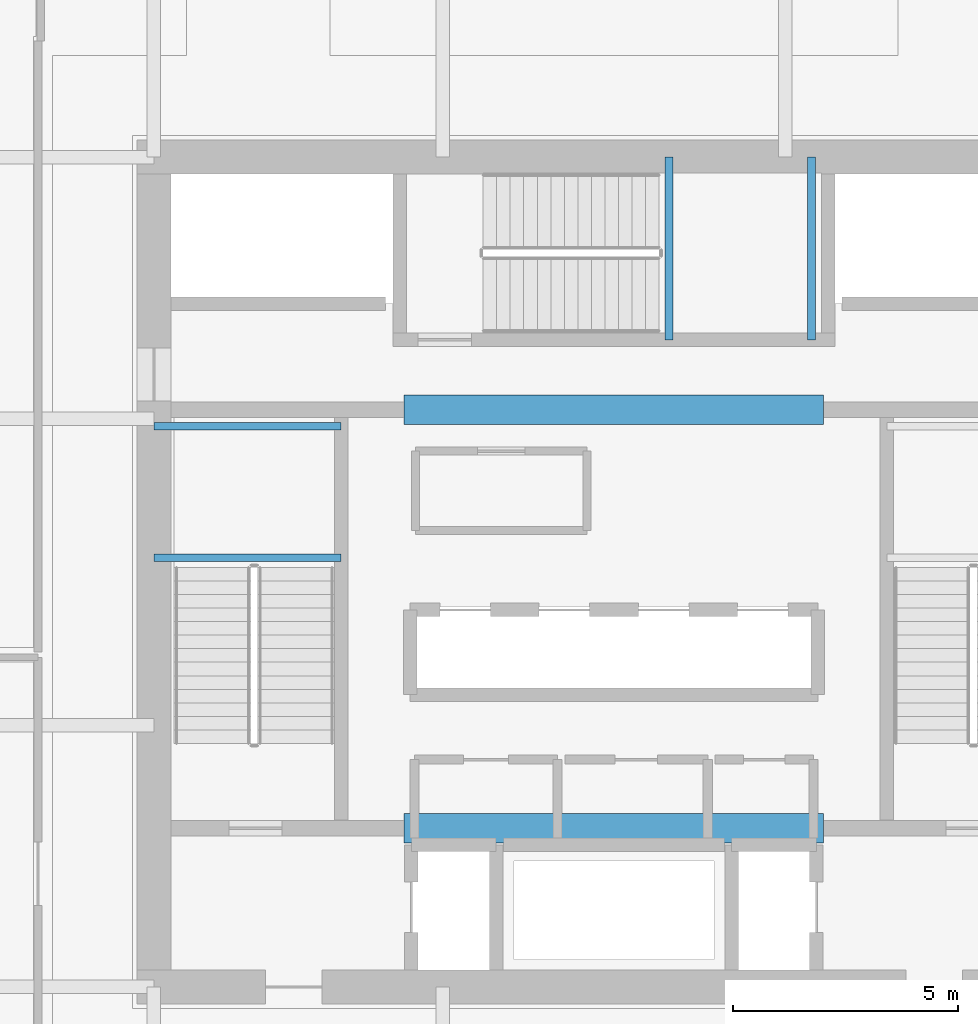
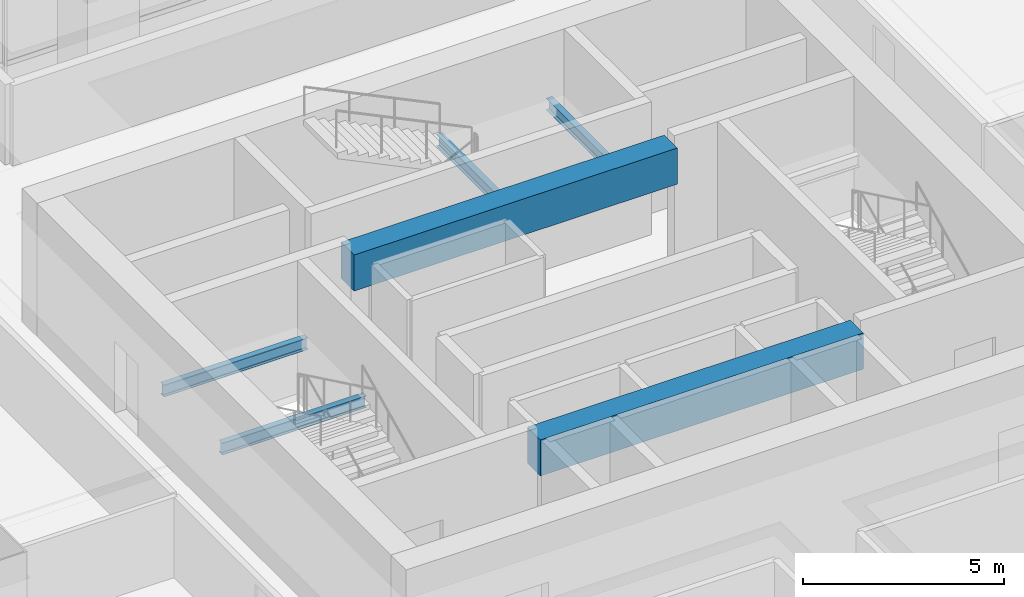
# One storey, part 11 of 45: 6 beams.
"""IFC4 building model written with IfcOpenShell, lengths in metres."""

import ifcopenshell
import ifcopenshell.guid

model = None  # the IFC model being written
_history = None  # IfcOwnerHistory: only IFC2X3 demands one
_inside = {}  # id of a spatial element -> (the spatial element, [elements in it])
_under = {}  # id of a project, library or spatial element -> (it, [spatial elements below it])
_declared = {}  # id of a project -> (the project, [libraries it declares])
_typed = {}  # id of a type object -> (the type object, [elements of that type])
_made_of = {}  # id of a material, layer set ... -> (it, [elements and type objects made of it])


def new_model(schema):
    """Start an empty IFC model of exactly this schema.

    Asked for "IFC4X3", IfcOpenShell would pick the latest addendum, in which some entities
    have other attributes; the version numbers below select the first issue.
    IFC2X3 requires an IfcOwnerHistory on every rooted entity: one is made here for all.
    """
    global model, _history
    if schema == "IFC4X3":
        model = ifcopenshell.file(schema_version=(4, 3, 0, 0))
    else:
        model = ifcopenshell.file(schema=schema)
    _inside.clear()
    _under.clear()
    _declared.clear()
    _typed.clear()
    _made_of.clear()
    _history = None
    if model.schema == "IFC2X3":
        org = make("IfcOrganization", Name="unknown")
        user = make(
            "IfcPersonAndOrganization",
            ThePerson=make("IfcPerson", FamilyName="unknown"),
            TheOrganization=org,
        )
        app = make(
            "IfcApplication",
            ApplicationDeveloper=org,
            Version="unknown",
            ApplicationFullName="unknown",
            ApplicationIdentifier="unknown",
        )
        _history = make(
            "IfcOwnerHistory",
            OwningUser=user,
            OwningApplication=app,
            ChangeAction="ADDED",
            CreationDate=0,
        )
    return model


def make(cls, **values):
    """One entity of the class cls with the attributes given. An attribute that is None is left unset."""
    return model.create_entity(
        cls, **{name: value for name, value in values.items() if value is not None}
    )


def rooted(cls, **values):
    """An entity with a GlobalId (a new one), such as an element, a storey or a relation."""
    return make(cls, GlobalId=ifcopenshell.guid.new(), OwnerHistory=_history, **values)


def si_unit(unit_type, name, prefix=None):
    """IfcSIUnit, for example si_unit("LENGTHUNIT", "METRE", prefix="MILLI")."""
    return make("IfcSIUnit", UnitType=unit_type, Prefix=prefix, Name=name)


def assignment(units):
    """IfcUnitAssignment: the units of a project."""
    return None if units is None else make("IfcUnitAssignment", Units=units)


def point(xyz):
    """IfcCartesianPoint."""
    return None if xyz is None else make("IfcCartesianPoint", Coordinates=xyz)


def direction(xyz):
    """IfcDirection."""
    return None if xyz is None else make("IfcDirection", DirectionRatios=xyz)


def frame(location, z_axis=None, x_axis=None):
    """IfcAxis2Placement3D, a coordinate frame: its origin and axes. An axis left out is left unset."""
    return make(
        "IfcAxis2Placement3D",
        Location=point(location),
        Axis=direction(z_axis),
        RefDirection=direction(x_axis),
    )


def frame_2d(location, x_axis=None):
    """IfcAxis2Placement2D, a coordinate frame in the plane: its origin and x axis."""
    return make(
        "IfcAxis2Placement2D", Location=point(location), RefDirection=direction(x_axis)
    )


def origin():
    """The frame at (0, 0, 0) with its axes left unset."""
    return frame((0.0, 0.0, 0.0))


def origin_2d():
    """The frame at (0, 0) in the plane with its x axis left unset."""
    return frame_2d((0.0, 0.0))


def place(relative_to, where):
    """IfcLocalPlacement: puts the frame where relative to a parent placement (None: the world)."""
    return make(
        "IfcLocalPlacement", PlacementRelTo=relative_to, RelativePlacement=where
    )


def context(
    kind, dimensions, precision=None, world=None, true_north=None, identifier=None
):
    """IfcGeometricRepresentationContext, for example the 3D "Model" context."""
    return make(
        "IfcGeometricRepresentationContext",
        ContextIdentifier=identifier,
        ContextType=kind,
        CoordinateSpaceDimension=dimensions,
        Precision=precision,
        WorldCoordinateSystem=world,
        TrueNorth=true_north,
    )


def subcontext(parent, identifier, kind, view, scale=None):
    """IfcGeometricRepresentationSubContext, for example "Body" below "Model"."""
    return make(
        "IfcGeometricRepresentationSubContext",
        ContextIdentifier=identifier,
        ContextType=kind,
        ParentContext=parent,
        TargetScale=scale,
        TargetView=view,
    )


def project(units=None, contexts=None):
    """IfcProject with its units and contexts."""
    return rooted(
        "IfcProject",
        Name="project",
        RepresentationContexts=contexts,
        UnitsInContext=assignment(units),
    )


def spatial(cls, under=None, at=None, **own):
    """A site, building, storey or space (cls), placed at a placement, below another one or the project."""
    s = rooted(cls, ObjectPlacement=at, **own)
    if under is not None:
        _under.setdefault(under.id(), (under, []))[1].append(s)
    return s


def profile(cls, at=None, kind="AREA", **sizes):
    """A parametric profile (cls). Its sizes go by their IFC names, for example OverallWidth=200.0."""
    return make(cls, ProfileType=kind, Position=at, **sizes)


def rectangle(**sizes):
    """IfcRectangleProfileDef."""
    return profile("IfcRectangleProfileDef", **sizes)


def i_section(**sizes):
    """IfcIShapeProfileDef."""
    return profile("IfcIShapeProfileDef", **sizes)


def extrude(swept, where, along, depth):
    """IfcExtrudedAreaSolid: the profile swept, set in the frame where, extruded along a direction by depth."""
    return make(
        "IfcExtrudedAreaSolid",
        SweptArea=swept,
        Position=where,
        ExtrudedDirection=direction(along),
        Depth=depth,
    )


def shape(context_of_items, identifier, shape_type, items):
    """IfcShapeRepresentation: the items that make up one representation, for example the "Body"."""
    return make(
        "IfcShapeRepresentation",
        ContextOfItems=context_of_items,
        RepresentationIdentifier=identifier,
        RepresentationType=shape_type,
        Items=items,
    )


def material(Name=None, Category=None):
    """IfcMaterial."""
    return make("IfcMaterial", Name=Name, Category=Category)


def material_profile(
    of_material, cross_section, Name=None, Category=None, Priority=None
):
    """IfcMaterialProfile: a cross section and its material."""
    return make(
        "IfcMaterialProfile",
        Name=Name,
        Material=of_material,
        Profile=cross_section,
        Priority=Priority,
        Category=Category,
    )


def profile_set(profiles, Name=None, composite=None):
    """IfcMaterialProfileSet."""
    return make(
        "IfcMaterialProfileSet",
        Name=Name,
        MaterialProfiles=profiles,
        CompositeProfile=composite,
    )


def made_of(thing, what):
    """Note that an element or type object is made of a material, layer set ...; save() writes the relation."""
    if what is not None:
        _made_of.setdefault(what.id(), (what, []))[1].append(thing)
    return thing


def type_object(cls, material=None, **own):
    """A type object (cls), such as IfcWallType, which elements share."""
    return made_of(rooted(cls, **own), material)


def element(
    cls,
    number,
    at=None,
    inside=None,
    cuts=None,
    type_object=None,
    material=None,
    context=None,
    identifier="Body",
    shape_type=None,
    held_by="IfcProductDefinitionShape",
    body=None,
    shapes=None,
    **own,
):
    """One element of the class cls, such as IfcWall. Its Tag is "e" and its number.

    at: its placement. inside: the storey or other place that contains it. cuts: it is an
    opening in that element (IfcRelVoidsElement). A single representation is given by context,
    identifier, shape_type and body (its items); several are given by shapes. held_by: the class
    of the entity that holds the representations. save() writes the other relations.
    """
    e = rooted(cls, Tag="e%d" % number, ObjectPlacement=at, **own)
    if body is not None:
        shapes = [shape(context, identifier, shape_type, body)]
    if shapes is not None:
        e.Representation = make(held_by, Representations=shapes)
    if inside is not None:
        _inside.setdefault(inside.id(), (inside, []))[1].append(e)
    if cuts is not None:
        rooted(
            "IfcRelVoidsElement", RelatingBuildingElement=cuts, RelatedOpeningElement=e
        )
    if type_object is not None:
        _typed.setdefault(type_object.id(), (type_object, []))[1].append(e)
    return made_of(e, material)


def aggregate(whole, parts):
    """IfcRelAggregates: a whole, such as a stair, and the parts it consists of."""
    return rooted("IfcRelAggregates", RelatingObject=whole, RelatedObjects=parts)


def save(model, path):
    """Write the relations noted so far, then the file.

    IfcRelAggregates (storeys below a building ...), IfcRelContainedInSpatialStructure (elements
    in a storey), IfcRelDefinesByType, IfcRelAssociatesMaterial and IfcRelDeclares: one each for
    every whole, place, type object, material and project.
    """
    for whole, parts in _under.values():
        aggregate(whole, parts)
    for where, things in _inside.values():
        rooted(
            "IfcRelContainedInSpatialStructure",
            RelatedElements=things,
            RelatingStructure=where,
        )
    for kind, things in _typed.values():
        rooted("IfcRelDefinesByType", RelatedObjects=things, RelatingType=kind)
    for what, things in _made_of.values():
        rooted("IfcRelAssociatesMaterial", RelatedObjects=things, RelatingMaterial=what)
    for by, libraries in _declared.values():
        rooted("IfcRelDeclares", RelatingContext=by, RelatedDefinitions=libraries)
    model.write(path)


model = new_model("IFC4")

# Units and contexts
model_context = context("Model", 3, precision=1e-05, world=origin(), true_north=direction((0.0, 1.0)))
body_context = subcontext(model_context, "Body", "Model", "MODEL_VIEW")
ifc_project = project(units=[si_unit("LENGTHUNIT", "METRE"), si_unit("AREAUNIT", "SQUARE_METRE"), si_unit("VOLUMEUNIT", "CUBIC_METRE"), si_unit("PLANEANGLEUNIT", "RADIAN"), si_unit("MASSUNIT", "GRAM", prefix="KILO")], contexts=[model_context])

# Site, building, storey
site_placement = place(None, origin())
site = spatial("IfcSite", under=ifc_project, at=site_placement, CompositionType="ELEMENT")
building_placement = place(site_placement, origin())
building = spatial("IfcBuilding", under=site, at=building_placement, Name="Punatoya Terracotta Tower", CompositionType="ELEMENT")
storey_placement = place(building_placement, frame((0.0, 0.0, 56.550048828125)))
storey = spatial("IfcBuildingStorey", under=building, at=storey_placement, Name="L12", CompositionType="ELEMENT", Elevation=56.550048828125)

# Beams
ifc_material_1 = material(Name="Concrete C60/75", Category="concrete")
ifc_material_profile_1 = material_profile(ifc_material_1, rectangle(XDim=0.64990234375, YDim=1.10009765625, at=origin_2d()))
ifc_profile_set_1 = profile_set([ifc_material_profile_1], Name="Concrete C60/75")
beam_type_1 = type_object("IfcBeamType", Name="BM-RC-1100", PredefinedType="LINTEL", material=ifc_profile_set_1)
for number, where, z_axis, x_axis, name in (
    (1, (-4.64990234375, -5.679931640625, 3.219970703125), (1.0, 0.0, 0.0), (0.0, 1.0, 0.0), "L12 Core Coupling Lintel CSW"),
    (2, (-4.64990234375, 3.60009765625, 3.219970703125), (1.0, 0.0, 0.0), (0.0, 1.0, 0.0), "L12 Core Coupling Lintel CNW"),
):
    element("IfcBeam", number, at=place(storey_placement, frame(where, z_axis=z_axis, x_axis=x_axis)), inside=storey, type_object=beam_type_1, Name=name, PredefinedType="LINTEL", context=body_context, shape_type="SweptSolid", body=[
        extrude(rectangle(XDim=0.64990234375, YDim=1.10009765625, at=origin_2d()), origin(), (0.0, 0.0, 1.0), 9.2998046875),
    ])
ifc_material_2 = material(Name="Steel S355", Category="steel")
ifc_material_profile_2 = material_profile(ifc_material_2, i_section(OverallWidth=0.169921875, OverallDepth=0.360107421875, WebThickness=0.008056640625, FlangeThickness=0.0126953125, FilletRadius=0.01806640625, at=origin_2d()))
ifc_profile_set_2 = profile_set([ifc_material_profile_2], Name="Steel S355")
beam_type_2 = type_object("IfcBeamType", Name="BM-SEC-360", PredefinedType="JOIST", material=ifc_profile_set_2)
for number, where, z_axis, x_axis, name in (
    (3, (-10.199951171875, 0.320068359375, 1.64501953125), (1.0, 0.0, 0.0), (0.0, 1.0, 0.0), "BM-L12-ST-1-LD1A"),
    (4, (-10.199951171875, 3.22998046875, 1.64501953125), (1.0, 0.0, 0.0), (0.0, 1.0, 0.0), "BM-L12-ST-1-LD1B"),
):
    element("IfcBeam", number, at=place(storey_placement, frame(where, z_axis=z_axis, x_axis=x_axis)), inside=storey, type_object=beam_type_2, Name=name, PredefinedType="JOIST", context=body_context, shape_type="SweptSolid", body=[
        extrude(i_section(OverallWidth=0.169921875, OverallDepth=0.360107421875, WebThickness=0.008056640625, FlangeThickness=0.0126953125, FilletRadius=0.01806640625, at=origin_2d()), origin(), (0.0, 0.0, 1.0), 4.14990234375),
    ])
for number, where, z_axis, x_axis, name in (
    (5, (1.219970703125, 5.14990234375, 1.64501953125), (0.0, 1.0, 0.0), (-1.0, 0.0, 0.0), "BM-L12-ST-3-LD1A"),
    (6, (4.3798828125, 5.14990234375, 1.64501953125), (0.0, 1.0, 0.0), (-1.0, 0.0, 0.0), "BM-L12-ST-3-LD1B"),
):
    element("IfcBeam", number, at=place(storey_placement, frame(where, z_axis=z_axis, x_axis=x_axis)), inside=storey, type_object=beam_type_2, Name=name, PredefinedType="JOIST", context=body_context, shape_type="SweptSolid", body=[
        extrude(i_section(OverallWidth=0.169921875, OverallDepth=0.360107421875, WebThickness=0.008056640625, FlangeThickness=0.0126953125, FilletRadius=0.01806640625, at=origin_2d()), origin(), (0.0, 0.0, 1.0), 4.050048828125),
    ])

save(model, "model.ifc")
